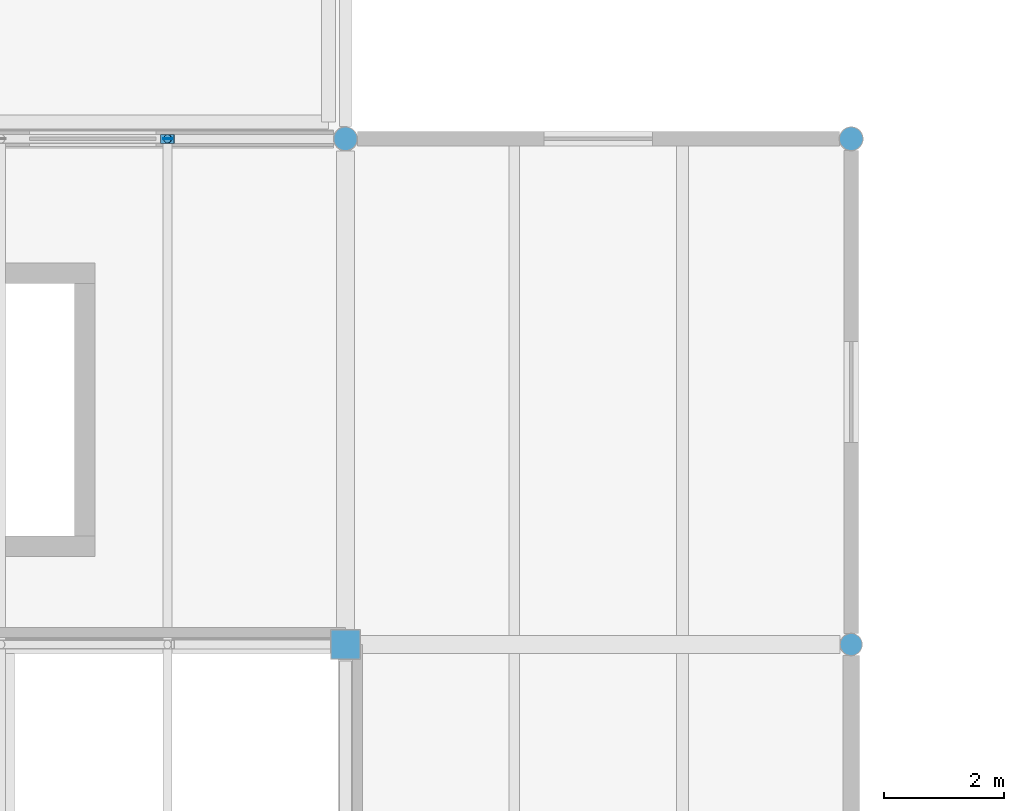
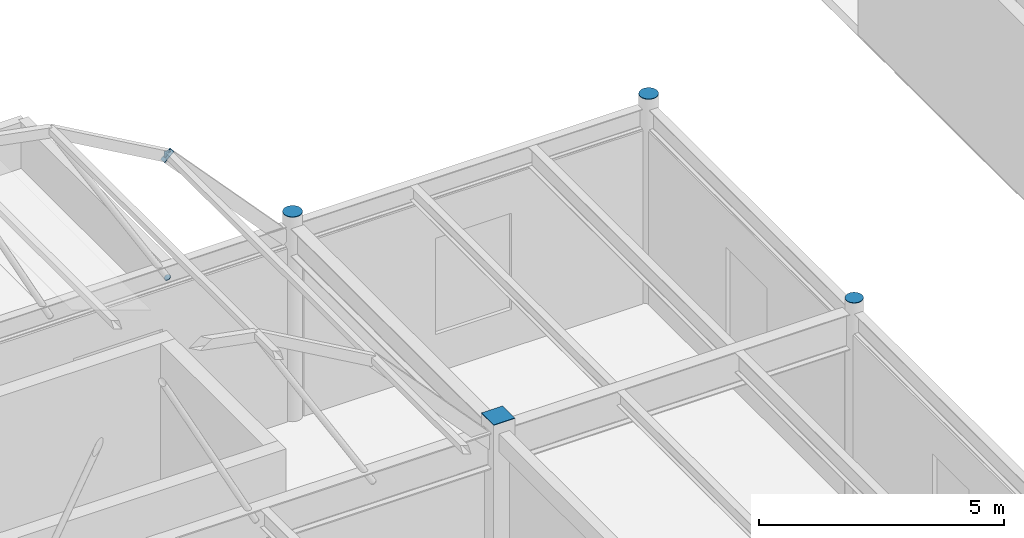
# One storey, part 81 of 103: 7 discrete accessories.
"""IFC4 building model written with IfcOpenShell, lengths in metres."""

from ifc_helpers import new_model, si_unit, direction, frame, origin, origin_2d, place, context, subcontext, project, spatial, rectangle, circle, extrude, material, type_object, element, save


model = new_model("IFC4")

# Units and contexts
model_context = context("Model", 3, precision=1e-05, world=origin(), true_north=direction((0.0, 1.0)))
body_context = subcontext(model_context, "Body", "Model", "MODEL_VIEW")
ifc_project = project(units=[si_unit("LENGTHUNIT", "METRE"), si_unit("AREAUNIT", "SQUARE_METRE"), si_unit("VOLUMEUNIT", "CUBIC_METRE"), si_unit("PLANEANGLEUNIT", "RADIAN"), si_unit("MASSUNIT", "GRAM", prefix="KILO"), si_unit("THERMODYNAMICTEMPERATUREUNIT", "KELVIN")], contexts=[model_context])

# Site, building, storey
site_placement = place(None, origin())
site = spatial("IfcSite", under=ifc_project, at=site_placement, CompositionType="ELEMENT")
building_placement = place(site_placement, origin())
building = spatial("IfcBuilding", under=site, at=building_placement, Name="Lustrewick Department Store", CompositionType="ELEMENT")
storey_placement = place(building_placement, frame((0.0, 0.0, 16.5)))
storey = spatial("IfcBuildingStorey", under=building, at=storey_placement, Name="L04", CompositionType="ELEMENT", Elevation=16.5)

# Discrete accessories
ifc_material = material(Name="Structural steel Q355C", Category="steel")
discrete_accessory_type = type_object("IfcDiscreteAccessoryType", Name="ECP-01", PredefinedType="USERDEFINED", material=ifc_material)
discrete_accessory_1_placement = place(storey_placement, frame((92.39990234375, 100.800048828125, 5.093994140625), z_axis=(0.0, 0.0, 1.0), x_axis=(1.0, 0.0, 0.0)))
element("IfcDiscreteAccessory", 1, at=discrete_accessory_1_placement, inside=storey, type_object=discrete_accessory_type, Name="L04 Welded Hollow-Section End-Cap Plate ECP-01", ObjectType="END_CAP_PLATE", PredefinedType="USERDEFINED", context=body_context, shape_type="SweptSolid", body=[
    extrude(circle(Radius=0.202880859375, at=origin_2d()), origin(), (0.0, 0.0, 1.0), 0.01611328125),
])
discrete_accessory_2_placement = place(storey_placement, frame((100.800048828125, 92.39990234375, 5.093994140625), z_axis=(0.0, 0.0, 1.0), x_axis=(1.0, 0.0, 0.0)))
element("IfcDiscreteAccessory", 2, at=discrete_accessory_2_placement, inside=storey, type_object=discrete_accessory_type, Name="L04 Welded Hollow-Section End-Cap Plate ECP-01", ObjectType="END_CAP_PLATE", PredefinedType="USERDEFINED", context=body_context, shape_type="SweptSolid", body=[
    extrude(circle(Radius=0.1884765625, at=origin_2d()), origin(), (0.0, 0.0, 1.0), 0.01611328125),
])
discrete_accessory_3_placement = place(storey_placement, frame((89.445556640625, 100.7939453125, 7.585205078125), z_axis=(0.0, 1.0, 0.0), x_axis=(-1.0, 0.0, 0.0)))
element("IfcDiscreteAccessory", 3, at=discrete_accessory_3_placement, inside=storey, type_object=discrete_accessory_type, Name="L04 Welded Hollow-Section End-Cap Plate ECP-01", ObjectType="END_CAP_PLATE", PredefinedType="USERDEFINED", context=body_context, shape_type="SweptSolid", body=[
    extrude(rectangle(XDim=0.14990234375, YDim=0.14990234375, at=origin_2d()), origin(), (0.0, 0.0, 1.0), 0.01611328125),
])
discrete_accessory_4_placement = place(storey_placement, frame((89.44921875, 100.800048828125, 7.52978515625), z_axis=(-0.678233515991, 0.0, 0.734846445039), x_axis=(0.0, 1.0, 0.0)))
element("IfcDiscreteAccessory", 4, at=discrete_accessory_4_placement, inside=storey, type_object=discrete_accessory_type, Name="L04 Welded Hollow-Section End-Cap Plate ECP-01", ObjectType="END_CAP_PLATE", PredefinedType="USERDEFINED", context=body_context, shape_type="SweptSolid", body=[
    extrude(rectangle(XDim=0.14990234375, YDim=0.300048828125, at=origin_2d()), origin(), (0.0, 0.0, 1.0), 0.01611328125),
])
discrete_accessory_5_placement = place(storey_placement, frame((89.44189453125, 100.800048828125, 4.500244140625), z_axis=(0.513782216913, 0.0, -0.857920645272), x_axis=(0.0, -1.0, 0.0)))
element("IfcDiscreteAccessory", 5, at=discrete_accessory_5_placement, inside=storey, type_object=discrete_accessory_type, Name="L04 Welded Hollow-Section End-Cap Plate ECP-01", ObjectType="END_CAP_PLATE", PredefinedType="USERDEFINED", context=body_context, shape_type="SweptSolid", body=[
    extrude(circle(Radius=0.070068359375, at=origin_2d()), origin(), (0.0, 0.0, 1.0), 0.01611328125),
])
discrete_accessory_6_placement = place(storey_placement, frame((92.39990234375, 92.39990234375, 5.093994140625), z_axis=(0.0, 0.0, 1.0), x_axis=(1.0, 0.0, 0.0)))
element("IfcDiscreteAccessory", 6, at=discrete_accessory_6_placement, inside=storey, type_object=discrete_accessory_type, Name="L04 Welded Hollow-Section End-Cap Plate ECP-01", ObjectType="END_CAP_PLATE", PredefinedType="USERDEFINED", context=body_context, shape_type="SweptSolid", body=[
    extrude(rectangle(XDim=0.5, YDim=0.5, at=origin_2d()), origin(), (0.0, 0.0, 1.0), 0.01611328125),
])
discrete_accessory_7_placement = place(storey_placement, frame((100.800048828125, 100.800048828125, 5.093994140625), z_axis=(0.0, 0.0, 1.0), x_axis=(1.0, 0.0, 0.0)))
element("IfcDiscreteAccessory", 7, at=discrete_accessory_7_placement, inside=storey, type_object=discrete_accessory_type, Name="L04 Welded Hollow-Section End-Cap Plate ECP-01", ObjectType="END_CAP_PLATE", PredefinedType="USERDEFINED", context=body_context, shape_type="SweptSolid", body=[
    extrude(circle(Radius=0.202880859375, at=origin_2d()), origin(), (0.0, 0.0, 1.0), 0.01611328125),
])

save(model, "model.ifc")
